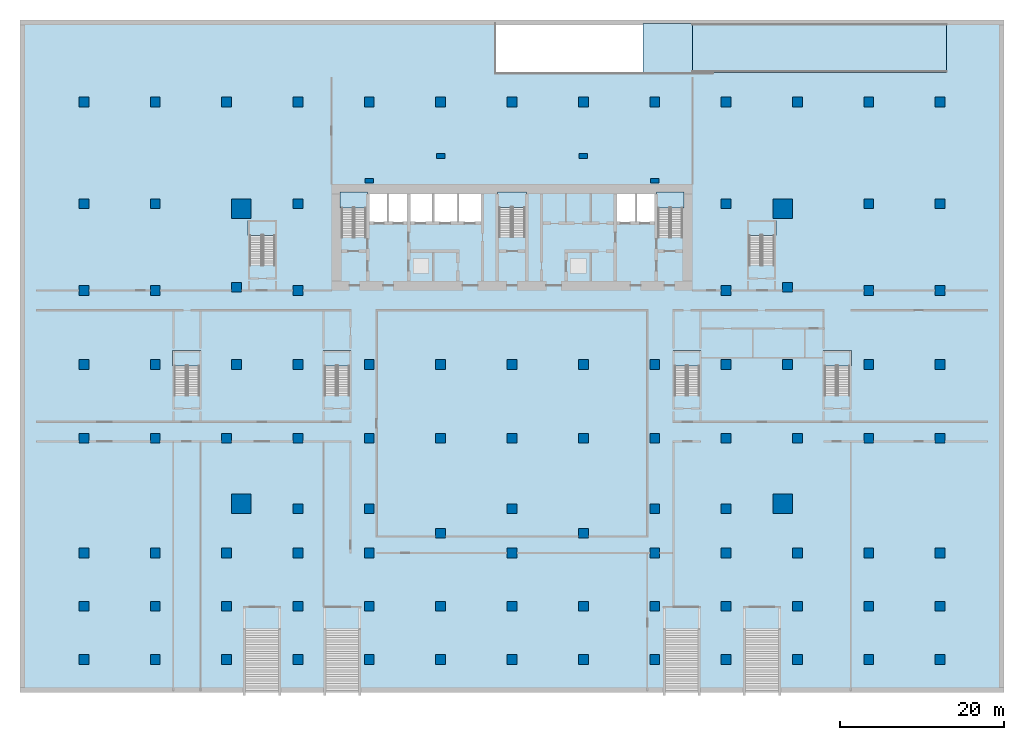
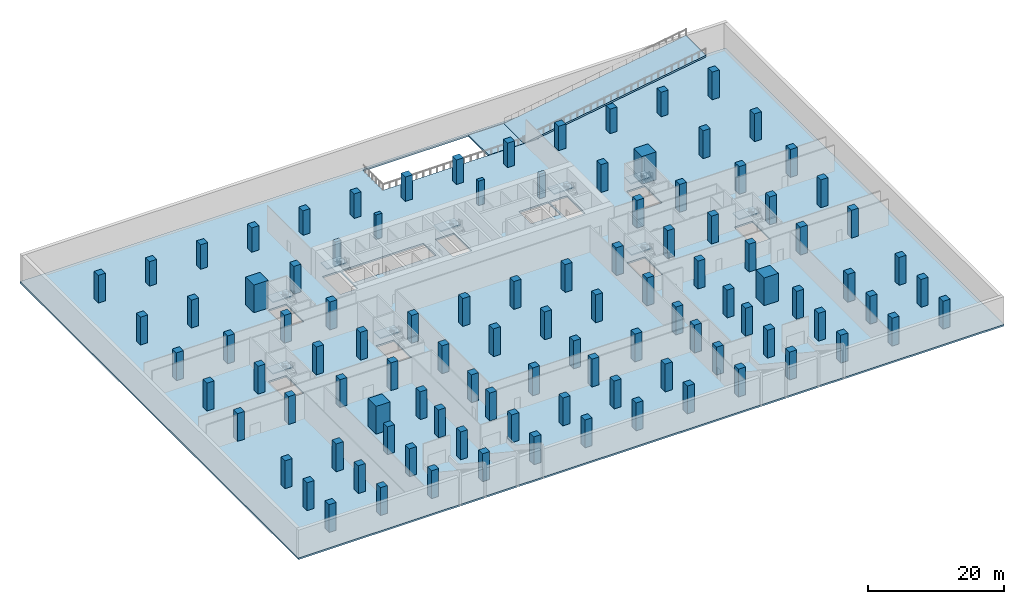
# One storey, part 1 of 16: 105 columns, 12 slabs, 9 elements without a shape of their own.
"""IFC4 building model written with IfcOpenShell, lengths in metres."""

from ifc_helpers import new_model, si_unit, direction, frame, origin, origin_2d, place, context, subcontext, project, spatial, polyline, rectangle, outline, extrude, material, layer, layer_set, material_profile, profile_set, type_object, element, aggregate, save


model = new_model("IFC4")

# Units and contexts
model_context = context("Model", 3, precision=1e-05, world=origin(), true_north=direction((0.0, 1.0)))
body_context = subcontext(model_context, "Body", "Model", "MODEL_VIEW")
ifc_project = project(units=[si_unit("LENGTHUNIT", "METRE"), si_unit("AREAUNIT", "SQUARE_METRE"), si_unit("VOLUMEUNIT", "CUBIC_METRE"), si_unit("PLANEANGLEUNIT", "RADIAN"), si_unit("MASSUNIT", "GRAM", prefix="KILO")], contexts=[model_context])

# Site, building, storey
site_placement = place(None, origin())
site = spatial("IfcSite", under=ifc_project, at=site_placement, CompositionType="ELEMENT")
building_placement = place(site_placement, origin())
building = spatial("IfcBuilding", under=site, at=building_placement, Name="Bicima Exchange Tower", CompositionType="ELEMENT")
storey_placement = place(building_placement, frame((0.0, 0.0, -5.0)))
storey = spatial("IfcBuildingStorey", under=building, at=storey_placement, Name="B1", CompositionType="ELEMENT", Elevation=-5.0)

# Columns
ifc_material_1 = material(Name="Concrete C60/75", Category="concrete")
ifc_material_profile_1 = material_profile(ifc_material_1, rectangle(XDim=1.199951171875, YDim=1.199951171875, at=origin_2d()))
ifc_profile_set_1 = profile_set([ifc_material_profile_1], Name="Concrete C60/75")
column_type_1 = type_object("IfcColumnType", Name="Reinforced concrete basement column 1200 x 1200", PredefinedType="COLUMN", material=ifc_profile_set_1)
for number, where, z_axis, x_axis, name in (
    (1, (-26.10009765625, -39.60009765625, 0.0), (0.0, 0.0, 1.0), (1.0, 0.0, 0.0), "Column"),
    (2, (-26.10009765625, -2.39990234375, 0.0), (0.0, 0.0, 1.0), (1.0, 0.0, 0.0), "Column"),
    (3, (-17.39990234375, -39.60009765625, 0.0), (0.0, 0.0, 1.0), (1.0, 0.0, 0.0), "Column"),
    (4, (-8.699951171875, -42.591064453125, 0.0), (0.0, 0.0, 1.0), (1.0, 0.0, 0.0), "Column"),
    (5, (0.0, -39.60009765625, 0.0), (0.0, 0.0, 1.0), (1.0, 0.0, 0.0), "Column"),
    (6, (8.699951171875, -42.591064453125, 0.0), (0.0, 0.0, 1.0), (1.0, 0.0, 0.0), "Column"),
    (7, (17.39990234375, -39.60009765625, 0.0), (0.0, 0.0, 1.0), (1.0, 0.0, 0.0), "Column"),
    (8, (26.10009765625, -39.60009765625, 0.0), (0.0, 0.0, 1.0), (1.0, 0.0, 0.0), "Column"),
    (9, (26.10009765625, -2.39990234375, 0.0), (0.0, 0.0, 1.0), (1.0, 0.0, 0.0), "Column"),
    (10, (-33.60009765625, -12.60009765625, 0.0), (0.0, 0.0, 1.0), (1.0, 0.0, 0.0), "Column"),
    (11, (-33.60009765625, -22.0, 0.0), (0.0, 0.0, 1.0), (1.0, 0.0, 0.0), "Column"),
    (12, (33.60009765625, -12.60009765625, 0.0), (0.0, 0.0, 1.0), (1.0, 0.0, 0.0), "Column"),
    (13, (33.60009765625, -22.0, 0.0), (0.0, 0.0, 1.0), (1.0, 0.0, 0.0), "Column"),
    (14, (-26.10009765625, -22.0, 0.0), (0.0, 0.0, 1.0), (1.0, 0.0, 0.0), "Column"),
    (15, (-17.39990234375, -22.0, 0.0), (0.0, 0.0, 1.0), (1.0, 0.0, 0.0), "Column"),
    (16, (-8.699951171875, -22.0, 0.0), (0.0, 0.0, 1.0), (1.0, 0.0, 0.0), "Column"),
    (17, (0.0, -22.0, 0.0), (0.0, 0.0, 1.0), (1.0, 0.0, 0.0), "Column"),
    (18, (8.699951171875, -22.0, 0.0), (0.0, 0.0, 1.0), (1.0, 0.0, 0.0), "Column"),
    (19, (17.39990234375, -22.0, 0.0), (0.0, 0.0, 1.0), (1.0, 0.0, 0.0), "Column"),
    (20, (26.10009765625, -22.0, 0.0), (0.0, 0.0, 1.0), (1.0, 0.0, 0.0), "Column"),
    (21, (-52.199951171875, 10.0, 0.0), (0.0, 0.0, 1.0), (1.0, 0.0, 0.0), "Column"),
    (22, (-52.199951171875, -2.39990234375, 0.0), (0.0, 0.0, 1.0), (1.0, 0.0, 0.0), "Column"),
    (23, (-52.199951171875, -13.0, 0.0), (0.0, 0.0, 1.0), (1.0, 0.0, 0.0), "Column"),
    (24, (-52.199951171875, -22.0, 0.0), (0.0, 0.0, 1.0), (1.0, 0.0, 0.0), "Column"),
    (25, (-52.199951171875, -31.0, 0.0), (0.0, 0.0, 1.0), (1.0, 0.0, 0.0), "Column"),
    (26, (-52.199951171875, -45.0, 0.0), (0.0, 0.0, 1.0), (1.0, 0.0, 0.0), "Column"),
    (27, (-52.199951171875, -51.5, 0.0), (0.0, 0.0, 1.0), (1.0, 0.0, 0.0), "Column"),
    (28, (-52.199951171875, -58.0, 0.0), (0.0, 0.0, 1.0), (1.0, 0.0, 0.0), "Column"),
):
    element("IfcColumn", number, at=place(storey_placement, frame(where, z_axis=z_axis, x_axis=x_axis)), inside=storey, type_object=column_type_1, Name=name, PredefinedType="COLUMN", context=body_context, shape_type="SweptSolid", body=[
        extrude(rectangle(XDim=1.199951171875, YDim=1.199951171875, at=origin_2d()), origin(), (0.0, 0.0, 1.0), 5.0),
    ])
column_1_placement = place(storey_placement, frame((-43.5, 10.0, 0.0), z_axis=(0.0, 0.0, 1.0), x_axis=(1.0, 0.0, 0.0)))
element("IfcColumn", 29, at=column_1_placement, inside=storey, type_object=column_type_1, Name="Column", PredefinedType="COLUMN", context=body_context, shape_type="SweptSolid", body=[
    extrude(rectangle(XDim=1.199951171875, YDim=1.199951171875, at=origin_2d()), origin(), (0.0, 0.0, 1.0), 4.39990234375),
])
for number, where, z_axis, x_axis, name in (
    (30, (-43.5, -2.39990234375, 0.0), (0.0, 0.0, 1.0), (1.0, 0.0, 0.0), "Column"),
    (31, (-43.5, -13.0, 0.0), (0.0, 0.0, 1.0), (1.0, 0.0, 0.0), "Column"),
    (32, (-43.5, -22.0, 0.0), (0.0, 0.0, 1.0), (1.0, 0.0, 0.0), "Column"),
    (33, (-43.5, -31.0, 0.0), (0.0, 0.0, 1.0), (1.0, 0.0, 0.0), "Column"),
    (34, (-43.5, -45.0, 0.0), (0.0, 0.0, 1.0), (1.0, 0.0, 0.0), "Column"),
    (35, (-43.5, -51.5, 0.0), (0.0, 0.0, 1.0), (1.0, 0.0, 0.0), "Column"),
    (36, (-43.5, -58.0, 0.0), (0.0, 0.0, 1.0), (1.0, 0.0, 0.0), "Column"),
):
    element("IfcColumn", number, at=place(storey_placement, frame(where, z_axis=z_axis, x_axis=x_axis)), inside=storey, type_object=column_type_1, Name=name, PredefinedType="COLUMN", context=body_context, shape_type="SweptSolid", body=[
        extrude(rectangle(XDim=1.199951171875, YDim=1.199951171875, at=origin_2d()), origin(), (0.0, 0.0, 1.0), 5.0),
    ])
column_2_placement = place(storey_placement, frame((-34.800048828125, 10.0, 0.0), z_axis=(0.0, 0.0, 1.0), x_axis=(1.0, 0.0, 0.0)))
element("IfcColumn", 37, at=column_2_placement, inside=storey, type_object=column_type_1, Name="Column", PredefinedType="COLUMN", context=body_context, shape_type="SweptSolid", body=[
    extrude(rectangle(XDim=1.199951171875, YDim=1.199951171875, at=origin_2d()), origin(), (0.0, 0.0, 1.0), 4.39990234375),
])
for number, where, z_axis, x_axis, name in (
    (38, (-34.800048828125, -31.0, 0.0), (0.0, 0.0, 1.0), (1.0, 0.0, 0.0), "Column"),
    (39, (-34.800048828125, -45.0, 0.0), (0.0, 0.0, 1.0), (1.0, 0.0, 0.0), "Column"),
    (40, (-34.800048828125, -51.5, 0.0), (0.0, 0.0, 1.0), (1.0, 0.0, 0.0), "Column"),
    (41, (-34.800048828125, -58.0, 0.0), (0.0, 0.0, 1.0), (1.0, 0.0, 0.0), "Column"),
):
    element("IfcColumn", number, at=place(storey_placement, frame(where, z_axis=z_axis, x_axis=x_axis)), inside=storey, type_object=column_type_1, Name=name, PredefinedType="COLUMN", context=body_context, shape_type="SweptSolid", body=[
        extrude(rectangle(XDim=1.199951171875, YDim=1.199951171875, at=origin_2d()), origin(), (0.0, 0.0, 1.0), 5.0),
    ])
column_3_placement = place(storey_placement, frame((-26.10009765625, 10.0, 0.0), z_axis=(0.0, 0.0, 1.0), x_axis=(1.0, 0.0, 0.0)))
element("IfcColumn", 42, at=column_3_placement, inside=storey, type_object=column_type_1, Name="Column", PredefinedType="COLUMN", context=body_context, shape_type="SweptSolid", body=[
    extrude(rectangle(XDim=1.199951171875, YDim=1.199951171875, at=origin_2d()), origin(), (0.0, 0.0, 1.0), 4.39990234375),
])
for number, where, z_axis, x_axis, name in (
    (43, (-26.10009765625, -13.0, 0.0), (0.0, 0.0, 1.0), (1.0, 0.0, 0.0), "Column"),
    (44, (-26.10009765625, -31.0, 0.0), (0.0, 0.0, 1.0), (1.0, 0.0, 0.0), "Column"),
    (45, (-26.10009765625, -45.0, 0.0), (0.0, 0.0, 1.0), (1.0, 0.0, 0.0), "Column"),
    (46, (-26.10009765625, -51.5, 0.0), (0.0, 0.0, 1.0), (1.0, 0.0, 0.0), "Column"),
    (47, (-26.10009765625, -58.0, 0.0), (0.0, 0.0, 1.0), (1.0, 0.0, 0.0), "Column"),
):
    element("IfcColumn", number, at=place(storey_placement, frame(where, z_axis=z_axis, x_axis=x_axis)), inside=storey, type_object=column_type_1, Name=name, PredefinedType="COLUMN", context=body_context, shape_type="SweptSolid", body=[
        extrude(rectangle(XDim=1.199951171875, YDim=1.199951171875, at=origin_2d()), origin(), (0.0, 0.0, 1.0), 5.0),
    ])
column_4_placement = place(storey_placement, frame((-17.39990234375, 10.0, 0.0), z_axis=(0.0, 0.0, 1.0), x_axis=(1.0, 0.0, 0.0)))
element("IfcColumn", 48, at=column_4_placement, inside=storey, type_object=column_type_1, Name="Column", PredefinedType="COLUMN", context=body_context, shape_type="SweptSolid", body=[
    extrude(rectangle(XDim=1.199951171875, YDim=1.199951171875, at=origin_2d()), origin(), (0.0, 0.0, 1.0), 4.39990234375),
])
for number, where, z_axis, x_axis, name in (
    (49, (-17.39990234375, -31.0, 0.0), (0.0, 0.0, 1.0), (1.0, 0.0, 0.0), "Column"),
    (50, (-17.39990234375, -45.0, 0.0), (0.0, 0.0, 1.0), (1.0, 0.0, 0.0), "Column"),
    (51, (-17.39990234375, -51.5, 0.0), (0.0, 0.0, 1.0), (1.0, 0.0, 0.0), "Column"),
    (52, (-17.39990234375, -58.0, 0.0), (0.0, 0.0, 1.0), (1.0, 0.0, 0.0), "Column"),
):
    element("IfcColumn", number, at=place(storey_placement, frame(where, z_axis=z_axis, x_axis=x_axis)), inside=storey, type_object=column_type_1, Name=name, PredefinedType="COLUMN", context=body_context, shape_type="SweptSolid", body=[
        extrude(rectangle(XDim=1.199951171875, YDim=1.199951171875, at=origin_2d()), origin(), (0.0, 0.0, 1.0), 5.0),
    ])
column_5_placement = place(storey_placement, frame((-8.699951171875, 10.0, 0.0), z_axis=(0.0, 0.0, 1.0), x_axis=(1.0, 0.0, 0.0)))
element("IfcColumn", 53, at=column_5_placement, inside=storey, type_object=column_type_1, Name="Column", PredefinedType="COLUMN", context=body_context, shape_type="SweptSolid", body=[
    extrude(rectangle(XDim=1.199951171875, YDim=1.199951171875, at=origin_2d()), origin(), (0.0, 0.0, 1.0), 4.39990234375),
])
for number, where, z_axis, x_axis, name in (
    (54, (-8.699951171875, -31.0, 0.0), (0.0, 0.0, 1.0), (1.0, 0.0, 0.0), "Column"),
    (55, (-8.699951171875, -51.5, 0.0), (0.0, 0.0, 1.0), (1.0, 0.0, 0.0), "Column"),
    (56, (-8.699951171875, -58.0, 0.0), (0.0, 0.0, 1.0), (1.0, 0.0, 0.0), "Column"),
):
    element("IfcColumn", number, at=place(storey_placement, frame(where, z_axis=z_axis, x_axis=x_axis)), inside=storey, type_object=column_type_1, Name=name, PredefinedType="COLUMN", context=body_context, shape_type="SweptSolid", body=[
        extrude(rectangle(XDim=1.199951171875, YDim=1.199951171875, at=origin_2d()), origin(), (0.0, 0.0, 1.0), 5.0),
    ])
column_6_placement = place(storey_placement, frame((0.0, 10.0, 0.0), z_axis=(0.0, 0.0, 1.0), x_axis=(1.0, 0.0, 0.0)))
element("IfcColumn", 57, at=column_6_placement, inside=storey, type_object=column_type_1, Name="Column", PredefinedType="COLUMN", context=body_context, shape_type="SweptSolid", body=[
    extrude(rectangle(XDim=1.199951171875, YDim=1.199951171875, at=origin_2d()), origin(), (0.0, 0.0, 1.0), 4.39990234375),
])
for number, where, z_axis, x_axis, name in (
    (58, (0.0, -31.0, 0.0), (0.0, 0.0, 1.0), (1.0, 0.0, 0.0), "Column"),
    (59, (0.0, -45.0, 0.0), (0.0, 0.0, 1.0), (1.0, 0.0, 0.0), "Column"),
    (60, (0.0, -51.5, 0.0), (0.0, 0.0, 1.0), (1.0, 0.0, 0.0), "Column"),
    (61, (0.0, -58.0, 0.0), (0.0, 0.0, 1.0), (1.0, 0.0, 0.0), "Column"),
):
    element("IfcColumn", number, at=place(storey_placement, frame(where, z_axis=z_axis, x_axis=x_axis)), inside=storey, type_object=column_type_1, Name=name, PredefinedType="COLUMN", context=body_context, shape_type="SweptSolid", body=[
        extrude(rectangle(XDim=1.199951171875, YDim=1.199951171875, at=origin_2d()), origin(), (0.0, 0.0, 1.0), 5.0),
    ])
column_7_placement = place(storey_placement, frame((8.699951171875, 10.0, 0.0), z_axis=(0.0, 0.0, 1.0), x_axis=(1.0, 0.0, 0.0)))
element("IfcColumn", 62, at=column_7_placement, inside=storey, type_object=column_type_1, Name="Column", PredefinedType="COLUMN", context=body_context, shape_type="SweptSolid", body=[
    extrude(rectangle(XDim=1.199951171875, YDim=1.199951171875, at=origin_2d()), origin(), (0.0, 0.0, 1.0), 4.39990234375),
])
for number, where, z_axis, x_axis, name in (
    (63, (8.699951171875, -31.0, 0.0), (0.0, 0.0, 1.0), (1.0, 0.0, 0.0), "Column"),
    (64, (8.699951171875, -51.5, 0.0), (0.0, 0.0, 1.0), (1.0, 0.0, 0.0), "Column"),
    (65, (8.699951171875, -58.0, 0.0), (0.0, 0.0, 1.0), (1.0, 0.0, 0.0), "Column"),
):
    element("IfcColumn", number, at=place(storey_placement, frame(where, z_axis=z_axis, x_axis=x_axis)), inside=storey, type_object=column_type_1, Name=name, PredefinedType="COLUMN", context=body_context, shape_type="SweptSolid", body=[
        extrude(rectangle(XDim=1.199951171875, YDim=1.199951171875, at=origin_2d()), origin(), (0.0, 0.0, 1.0), 5.0),
    ])
column_8_placement = place(storey_placement, frame((17.39990234375, 10.0, 0.0), z_axis=(0.0, 0.0, 1.0), x_axis=(1.0, 0.0, 0.0)))
element("IfcColumn", 66, at=column_8_placement, inside=storey, type_object=column_type_1, Name="Column", PredefinedType="COLUMN", context=body_context, shape_type="SweptSolid", body=[
    extrude(rectangle(XDim=1.199951171875, YDim=1.199951171875, at=origin_2d()), origin(), (0.0, 0.0, 1.0), 4.39990234375),
])
for number, where, z_axis, x_axis, name in (
    (67, (17.39990234375, -31.0, 0.0), (0.0, 0.0, 1.0), (1.0, 0.0, 0.0), "Column"),
    (68, (17.39990234375, -45.0, 0.0), (0.0, 0.0, 1.0), (1.0, 0.0, 0.0), "Column"),
    (69, (17.39990234375, -51.5, 0.0), (0.0, 0.0, 1.0), (1.0, 0.0, 0.0), "Column"),
    (70, (17.39990234375, -58.0, 0.0), (0.0, 0.0, 1.0), (1.0, 0.0, 0.0), "Column"),
):
    element("IfcColumn", number, at=place(storey_placement, frame(where, z_axis=z_axis, x_axis=x_axis)), inside=storey, type_object=column_type_1, Name=name, PredefinedType="COLUMN", context=body_context, shape_type="SweptSolid", body=[
        extrude(rectangle(XDim=1.199951171875, YDim=1.199951171875, at=origin_2d()), origin(), (0.0, 0.0, 1.0), 5.0),
    ])
column_9_placement = place(storey_placement, frame((26.10009765625, 10.0, 0.0), z_axis=(0.0, 0.0, 1.0), x_axis=(1.0, 0.0, 0.0)))
element("IfcColumn", 71, at=column_9_placement, inside=storey, type_object=column_type_1, Name="Column", PredefinedType="COLUMN", context=body_context, shape_type="SweptSolid", body=[
    extrude(rectangle(XDim=1.199951171875, YDim=1.199951171875, at=origin_2d()), origin(), (0.0, 0.0, 1.0), 4.39990234375),
])
for number, where, z_axis, x_axis, name in (
    (72, (26.10009765625, -13.0, 0.0), (0.0, 0.0, 1.0), (1.0, 0.0, 0.0), "Column"),
    (73, (26.10009765625, -31.0, 0.0), (0.0, 0.0, 1.0), (1.0, 0.0, 0.0), "Column"),
    (74, (26.10009765625, -45.0, 0.0), (0.0, 0.0, 1.0), (1.0, 0.0, 0.0), "Column"),
    (75, (26.10009765625, -51.5, 0.0), (0.0, 0.0, 1.0), (1.0, 0.0, 0.0), "Column"),
    (76, (26.10009765625, -58.0, 0.0), (0.0, 0.0, 1.0), (1.0, 0.0, 0.0), "Column"),
):
    element("IfcColumn", number, at=place(storey_placement, frame(where, z_axis=z_axis, x_axis=x_axis)), inside=storey, type_object=column_type_1, Name=name, PredefinedType="COLUMN", context=body_context, shape_type="SweptSolid", body=[
        extrude(rectangle(XDim=1.199951171875, YDim=1.199951171875, at=origin_2d()), origin(), (0.0, 0.0, 1.0), 5.0),
    ])
column_10_placement = place(storey_placement, frame((34.800048828125, 10.0, 0.0), z_axis=(0.0, 0.0, 1.0), x_axis=(1.0, 0.0, 0.0)))
element("IfcColumn", 77, at=column_10_placement, inside=storey, type_object=column_type_1, Name="Column", PredefinedType="COLUMN", context=body_context, shape_type="SweptSolid", body=[
    extrude(rectangle(XDim=1.199951171875, YDim=1.199951171875, at=origin_2d()), origin(), (0.0, 0.0, 1.0), 4.39990234375),
])
for number, where, z_axis, x_axis, name in (
    (78, (34.800048828125, -31.0, 0.0), (0.0, 0.0, 1.0), (1.0, 0.0, 0.0), "Column"),
    (79, (34.800048828125, -45.0, 0.0), (0.0, 0.0, 1.0), (1.0, 0.0, 0.0), "Column"),
    (80, (34.800048828125, -51.5, 0.0), (0.0, 0.0, 1.0), (1.0, 0.0, 0.0), "Column"),
    (81, (34.800048828125, -58.0, 0.0), (0.0, 0.0, 1.0), (1.0, 0.0, 0.0), "Column"),
):
    element("IfcColumn", number, at=place(storey_placement, frame(where, z_axis=z_axis, x_axis=x_axis)), inside=storey, type_object=column_type_1, Name=name, PredefinedType="COLUMN", context=body_context, shape_type="SweptSolid", body=[
        extrude(rectangle(XDim=1.199951171875, YDim=1.199951171875, at=origin_2d()), origin(), (0.0, 0.0, 1.0), 5.0),
    ])
column_11_placement = place(storey_placement, frame((43.5, 10.0, 0.0), z_axis=(0.0, 0.0, 1.0), x_axis=(1.0, 0.0, 0.0)))
element("IfcColumn", 82, at=column_11_placement, inside=storey, type_object=column_type_1, Name="Column", PredefinedType="COLUMN", context=body_context, shape_type="SweptSolid", body=[
    extrude(rectangle(XDim=1.199951171875, YDim=1.199951171875, at=origin_2d()), origin(), (0.0, 0.0, 1.0), 4.39990234375),
])
for number, where, z_axis, x_axis, name in (
    (83, (43.5, -2.39990234375, 0.0), (0.0, 0.0, 1.0), (1.0, 0.0, 0.0), "Column"),
    (84, (43.5, -13.0, 0.0), (0.0, 0.0, 1.0), (1.0, 0.0, 0.0), "Column"),
    (85, (43.5, -22.0, 0.0), (0.0, 0.0, 1.0), (1.0, 0.0, 0.0), "Column"),
    (86, (43.5, -31.0, 0.0), (0.0, 0.0, 1.0), (1.0, 0.0, 0.0), "Column"),
    (87, (43.5, -45.0, 0.0), (0.0, 0.0, 1.0), (1.0, 0.0, 0.0), "Column"),
    (88, (43.5, -51.5, 0.0), (0.0, 0.0, 1.0), (1.0, 0.0, 0.0), "Column"),
    (89, (43.5, -58.0, 0.0), (0.0, 0.0, 1.0), (1.0, 0.0, 0.0), "Column"),
    (90, (52.199951171875, 10.0, 0.0), (0.0, 0.0, 1.0), (1.0, 0.0, 0.0), "Column"),
    (91, (52.199951171875, -2.39990234375, 0.0), (0.0, 0.0, 1.0), (1.0, 0.0, 0.0), "Column"),
    (92, (52.199951171875, -13.0, 0.0), (0.0, 0.0, 1.0), (1.0, 0.0, 0.0), "Column"),
    (93, (52.199951171875, -22.0, 0.0), (0.0, 0.0, 1.0), (1.0, 0.0, 0.0), "Column"),
    (94, (52.199951171875, -31.0, 0.0), (0.0, 0.0, 1.0), (1.0, 0.0, 0.0), "Column"),
    (95, (52.199951171875, -45.0, 0.0), (0.0, 0.0, 1.0), (1.0, 0.0, 0.0), "Column"),
    (96, (52.199951171875, -51.5, 0.0), (0.0, 0.0, 1.0), (1.0, 0.0, 0.0), "Column"),
    (97, (52.199951171875, -58.0, 0.0), (0.0, 0.0, 1.0), (1.0, 0.0, 0.0), "Column"),
):
    element("IfcColumn", number, at=place(storey_placement, frame(where, z_axis=z_axis, x_axis=x_axis)), inside=storey, type_object=column_type_1, Name=name, PredefinedType="COLUMN", context=body_context, shape_type="SweptSolid", body=[
        extrude(rectangle(XDim=1.199951171875, YDim=1.199951171875, at=origin_2d()), origin(), (0.0, 0.0, 1.0), 5.0),
    ])
ifc_material_profile_2 = material_profile(ifc_material_1, rectangle(XDim=2.39990234375, YDim=2.39990234375, at=origin_2d()))
ifc_profile_set_2 = profile_set([ifc_material_profile_2], Name="Concrete C60/75")
column_type_2 = type_object("IfcColumnType", Name="Reinforced concrete mega column 2400 x 2400", PredefinedType="COLUMN", material=ifc_profile_set_2)
for number, where, z_axis, x_axis, name in (
    (98, (-33.0, -39.0, 0.0), (0.0, 0.0, 1.0), (1.0, 0.0, 0.0), "Mega column"),
    (99, (-33.0, -3.0, 0.0), (0.0, 0.0, 1.0), (1.0, 0.0, 0.0), "Mega column"),
    (100, (33.0, -39.0, 0.0), (0.0, 0.0, 1.0), (1.0, 0.0, 0.0), "Mega column"),
    (101, (33.0, -3.0, 0.0), (0.0, 0.0, 1.0), (1.0, 0.0, 0.0), "Mega column"),
):
    element("IfcColumn", number, at=place(storey_placement, frame(where, z_axis=z_axis, x_axis=x_axis)), inside=storey, type_object=column_type_2, Name=name, PredefinedType="COLUMN", context=body_context, shape_type="SweptSolid", body=[
        extrude(rectangle(XDim=2.39990234375, YDim=2.39990234375, at=origin_2d()), origin(), (0.0, 0.0, 1.0), 5.0),
    ])
ifc_material_profile_3 = material_profile(ifc_material_1, rectangle(XDim=1.0, YDim=0.60009765625, at=origin_2d()))
ifc_profile_set_3 = profile_set([ifc_material_profile_3], Name="Concrete C60/75")
column_type_3 = type_object("IfcColumnType", Name="Reinforced concrete rear pilaster column 1000 x 600", PredefinedType="COLUMN", material=ifc_profile_set_3)
for number, where, z_axis, x_axis, name in (
    (102, (-8.699951171875, 3.39111328125, 0.0), (0.0, 0.0, 1.0), (1.0, 0.0, 0.0), "Column"),
    (103, (-17.39990234375, 0.39990234375, 0.0), (0.0, 0.0, 1.0), (1.0, 0.0, 0.0), "Column"),
    (104, (8.699951171875, 3.39111328125, 0.0), (0.0, 0.0, 1.0), (1.0, 0.0, 0.0), "Column"),
    (105, (17.39990234375, 0.39990234375, 0.0), (0.0, 0.0, 1.0), (1.0, 0.0, 0.0), "Column"),
):
    element("IfcColumn", number, at=place(storey_placement, frame(where, z_axis=z_axis, x_axis=x_axis)), inside=storey, type_object=column_type_3, Name=name, PredefinedType="COLUMN", context=body_context, shape_type="SweptSolid", body=[
        extrude(rectangle(XDim=1.0, YDim=0.60009765625, at=origin_2d()), origin(), (0.0, 0.0, 1.0), 4.39990234375),
    ])

# Slabs
ifc_material_2 = material(Name="Concrete C40/50", Category="concrete")
ifc_layer_1 = layer(ifc_material_2, 0.300048828125)
ifc_layer_set_1 = layer_set([ifc_layer_1], Name="Concrete C40/50")
slab_type_1 = type_object("IfcSlabType", Name="Ramp pad slab 300 C40/50", PredefinedType="LANDING", material=ifc_layer_set_1)
slab_1_placement = place(storey_placement, frame((0.0, 0.0, -0.300048828125)))
element("IfcSlab", 106, at=slab_1_placement, inside=storey, type_object=slab_type_1, Name="Ramp pad 3", PredefinedType="LANDING", context=body_context, shape_type="SweptSolid", body=[
    extrude(outline(polyline([(16.0, 13.60009765625), (22.0, 13.60009765625), (22.0, 19.550048828125), (16.0, 19.550048828125), (16.0, 13.60009765625)])), origin(), (0.0, 0.0, 1.0), 0.300048828125),
])
ifc_layer_2 = layer(ifc_material_2, 0.300048828125)
ifc_layer_set_2 = layer_set([ifc_layer_2], Name="Concrete C40/50")
slab_type_2 = type_object("IfcSlabType", Name="Reinforced concrete flat plate 300", PredefinedType="FLOOR", material=ifc_layer_set_2)
slab_2_placement = place(storey_placement, frame((0.0, 0.0, -0.300048828125)))
element("IfcSlab", 107, at=slab_2_placement, inside=storey, type_object=slab_type_2, Name="Floor slab", PredefinedType="FLOOR", context=body_context, shape_type="SweptSolid", body=[
    extrude(outline(polyline([(-60.0, 20.0), (60.0, 20.0), (60.0, -62.0), (-60.0, -62.0), (-60.0, 20.0)]), holes=[polyline([(-41.175048828125, -25.72509765625), (-38.125, -25.72509765625), (-38.125, -20.52490234375), (-41.175048828125, -20.52490234375), (-41.175048828125, -25.72509765625)]), polyline([(-22.875, -25.72509765625), (-19.824951171875, -25.72509765625), (-19.824951171875, -20.52490234375), (-22.875, -20.52490234375), (-22.875, -25.72509765625)]), polyline([(-31.97509765625, -9.824951171875), (-28.925048828125, -9.824951171875), (-28.925048828125, -4.625), (-31.97509765625, -4.625), (-31.97509765625, -9.824951171875)]), polyline([(-20.800048828125, -6.449951171875), (-17.800048828125, -6.449951171875), (-17.800048828125, -1.199951171875), (-20.800048828125, -1.199951171875), (-20.800048828125, -6.449951171875)]), polyline([(-9.60009765625, -1.199951171875), (-12.60009765625, -1.199951171875), (-15.10009765625, -1.199951171875), (-17.60009765625, -1.199951171875), (-17.60009765625, -4.800048828125), (-15.10009765625, -4.800048828125), (-12.60009765625, -4.800048828125), (-9.60009765625, -4.800048828125), (-6.60009765625, -4.800048828125), (-3.60009765625, -4.800048828125), (-3.60009765625, -1.199951171875), (-6.60009765625, -1.199951171875), (-9.60009765625, -1.199951171875)]), polyline([(19.824951171875, -25.72509765625), (22.875, -25.72509765625), (22.875, -20.52490234375), (19.824951171875, -20.52490234375), (19.824951171875, -25.72509765625)]), polyline([(38.125, -25.72509765625), (41.175048828125, -25.72509765625), (41.175048828125, -20.52490234375), (38.125, -20.52490234375), (38.125, -25.72509765625)]), polyline([(28.925048828125, -9.824951171875), (31.97509765625, -9.824951171875), (31.97509765625, -4.625), (28.925048828125, -4.625), (28.925048828125, -9.824951171875)]), polyline([(17.800048828125, -6.449951171875), (20.800048828125, -6.449951171875), (20.800048828125, -1.199951171875), (17.800048828125, -1.199951171875), (17.800048828125, -6.449951171875)]), polyline([(-1.574951171875, -6.39990234375), (1.574951171875, -6.39990234375), (1.574951171875, -1.199951171875), (-1.574951171875, -1.199951171875), (-1.574951171875, -6.39990234375)]), polyline([(12.60009765625, -1.199951171875), (12.60009765625, -4.800048828125), (15.10009765625, -4.800048828125), (17.60009765625, -4.800048828125), (17.60009765625, -1.199951171875), (15.10009765625, -1.199951171875), (12.60009765625, -1.199951171875)]), polyline([(24.5, 13.550048828125), (24.5, 19.60009765625), (-1.97998046875, 19.60009765625), (-1.97998046875, 13.550048828125), (24.5, 13.550048828125)])]), origin(), (0.0, 0.0, 1.0), 0.300048828125),
])

# Stair, slab
ifc_material_3 = material(Name="Concrete C50/60", Category="concrete")
stair_type_1 = type_object("IfcStairType", Name="Exit stair", PredefinedType="HALF_TURN_STAIR", material=ifc_material_3)
stair_1_placement = place(storey_placement, origin())
stair_1 = element("IfcStair", 108, at=stair_1_placement, inside=storey, type_object=stair_type_1, Name="B1 West exit stair", PredefinedType="HALF_TURN_STAIR")
ifc_layer_3 = layer(ifc_material_3, 0.199951171875)
ifc_layer_set_3 = layer_set([ifc_layer_3], Name="Concrete C50/60")
slab_type_3 = type_object("IfcSlabType", Name="Stair landing slab", PredefinedType="LANDING", material=ifc_layer_set_3)
slab_3_placement = place(storey_placement, frame((0.0, 0.0, 2.300048828125)))
slab_3 = element("IfcSlab", 109, at=slab_3_placement, type_object=slab_type_3, Name="ST-W landing 1", PredefinedType="LANDING", context=body_context, shape_type="SweptSolid", body=[
    extrude(outline(polyline([(-17.60009765625, -2.909912109375), (-17.60009765625, -1.0), (-21.0, -1.0), (-21.0, -2.909912109375), (-17.60009765625, -2.909912109375)])), origin(), (0.0, 0.0, 1.0), 0.199951171875),
])
aggregate(stair_1, [slab_3])

stair_type_2 = type_object("IfcStairType", Name="Exit stair 1500", PredefinedType="HALF_TURN_STAIR", material=ifc_material_3)
stair_2_placement = place(storey_placement, origin())
stair_2 = element("IfcStair", 110, at=stair_2_placement, inside=storey, type_object=stair_type_2, Name="B1 Central exit stair", PredefinedType="HALF_TURN_STAIR")
slab_4_placement = place(storey_placement, frame((0.0, 0.0, 2.300048828125)))
slab_4 = element("IfcSlab", 111, at=slab_4_placement, type_object=slab_type_3, Name="ST-C landing 1", PredefinedType="LANDING", context=body_context, shape_type="SweptSolid", body=[
    extrude(outline(polyline([(1.77490234375, -2.860107421875), (1.77490234375, -1.0), (-1.77490234375, -1.0), (-1.77490234375, -2.860107421875), (1.77490234375, -2.860107421875)])), origin(), (0.0, 0.0, 1.0), 0.199951171875),
])
aggregate(stair_2, [slab_4])

stair_3_placement = place(storey_placement, origin())
stair_3 = element("IfcStair", 112, at=stair_3_placement, inside=storey, type_object=stair_type_1, Name="B1 East exit stair", PredefinedType="HALF_TURN_STAIR")
slab_5_placement = place(storey_placement, frame((0.0, 0.0, 2.300048828125)))
slab_5 = element("IfcSlab", 113, at=slab_5_placement, type_object=slab_type_3, Name="ST-E landing 1", PredefinedType="LANDING", context=body_context, shape_type="SweptSolid", body=[
    extrude(outline(polyline([(21.0, -2.909912109375), (21.0, -1.0), (17.60009765625, -1.0), (17.60009765625, -2.909912109375), (21.0, -2.909912109375)])), origin(), (0.0, 0.0, 1.0), 0.199951171875),
])
aggregate(stair_3, [slab_5])

stair_4_placement = place(storey_placement, origin())
stair_4 = element("IfcStair", 114, at=stair_4_placement, inside=storey, type_object=stair_type_1, Name="B1 West end exit stair", PredefinedType="HALF_TURN_STAIR")
slab_6_placement = place(storey_placement, frame((0.0, 0.0, 2.300048828125)))
slab_6 = element("IfcSlab", 115, at=slab_6_placement, type_object=slab_type_3, Name="ST-WW landing 1", PredefinedType="LANDING", context=body_context, shape_type="SweptSolid", body=[
    extrude(outline(polyline([(-28.72509765625, -6.284912109375), (-28.72509765625, -4.425048828125), (-32.175048828125, -4.425048828125), (-32.175048828125, -6.284912109375), (-28.72509765625, -6.284912109375)])), origin(), (0.0, 0.0, 1.0), 0.199951171875),
])
aggregate(stair_4, [slab_6])

stair_5_placement = place(storey_placement, origin())
stair_5 = element("IfcStair", 116, at=stair_5_placement, inside=storey, type_object=stair_type_1, Name="B1 East end exit stair", PredefinedType="HALF_TURN_STAIR")
slab_7_placement = place(storey_placement, frame((0.0, 0.0, 2.300048828125)))
slab_7 = element("IfcSlab", 117, at=slab_7_placement, type_object=slab_type_3, Name="ST-EE landing 1", PredefinedType="LANDING", context=body_context, shape_type="SweptSolid", body=[
    extrude(outline(polyline([(32.175048828125, -6.284912109375), (32.175048828125, -4.425048828125), (28.72509765625, -4.425048828125), (28.72509765625, -6.284912109375), (32.175048828125, -6.284912109375)])), origin(), (0.0, 0.0, 1.0), 0.199951171875),
])
aggregate(stair_5, [slab_7])

stair_6_placement = place(storey_placement, origin())
stair_6 = element("IfcStair", 118, at=stair_6_placement, inside=storey, type_object=stair_type_1, Name="B1 Podium west stair", PredefinedType="HALF_TURN_STAIR")
slab_8_placement = place(storey_placement, frame((0.0, 0.0, 2.300048828125)))
slab_8 = element("IfcSlab", 119, at=slab_8_placement, type_object=slab_type_3, Name="PS-W landing 1", PredefinedType="LANDING", context=body_context, shape_type="SweptSolid", body=[
    extrude(outline(polyline([(-37.925048828125, -22.18505859375), (-37.925048828125, -20.324951171875), (-41.375, -20.324951171875), (-41.375, -22.18505859375), (-37.925048828125, -22.18505859375)])), origin(), (0.0, 0.0, 1.0), 0.199951171875),
])
aggregate(stair_6, [slab_8])

stair_7_placement = place(storey_placement, origin())
stair_7 = element("IfcStair", 120, at=stair_7_placement, inside=storey, type_object=stair_type_1, Name="B1 Podium inner west stair", PredefinedType="HALF_TURN_STAIR")
slab_9_placement = place(storey_placement, frame((0.0, 0.0, 2.300048828125)))
slab_9 = element("IfcSlab", 121, at=slab_9_placement, type_object=slab_type_3, Name="PS-WI landing 1", PredefinedType="LANDING", context=body_context, shape_type="SweptSolid", body=[
    extrude(outline(polyline([(-19.625, -22.18505859375), (-19.625, -20.324951171875), (-23.074951171875, -20.324951171875), (-23.074951171875, -22.18505859375), (-19.625, -22.18505859375)])), origin(), (0.0, 0.0, 1.0), 0.199951171875),
])
aggregate(stair_7, [slab_9])

stair_8_placement = place(storey_placement, origin())
stair_8 = element("IfcStair", 122, at=stair_8_placement, inside=storey, type_object=stair_type_1, Name="B1 Podium inner east stair", PredefinedType="HALF_TURN_STAIR")
slab_10_placement = place(storey_placement, frame((0.0, 0.0, 2.300048828125)))
slab_10 = element("IfcSlab", 123, at=slab_10_placement, type_object=slab_type_3, Name="PS-EI landing 1", PredefinedType="LANDING", context=body_context, shape_type="SweptSolid", body=[
    extrude(outline(polyline([(23.074951171875, -22.18505859375), (23.074951171875, -20.324951171875), (19.625, -20.324951171875), (19.625, -22.18505859375), (23.074951171875, -22.18505859375)])), origin(), (0.0, 0.0, 1.0), 0.199951171875),
])
aggregate(stair_8, [slab_10])

stair_9_placement = place(storey_placement, origin())
stair_9 = element("IfcStair", 124, at=stair_9_placement, inside=storey, type_object=stair_type_1, Name="B1 Podium east stair", PredefinedType="HALF_TURN_STAIR")
slab_11_placement = place(storey_placement, frame((0.0, 0.0, 2.300048828125)))
slab_11 = element("IfcSlab", 125, at=slab_11_placement, type_object=slab_type_3, Name="PS-E landing 1", PredefinedType="LANDING", context=body_context, shape_type="SweptSolid", body=[
    extrude(outline(polyline([(41.375, -22.18505859375), (41.375, -20.324951171875), (37.925048828125, -20.324951171875), (37.925048828125, -22.18505859375), (41.375, -22.18505859375)])), origin(), (0.0, 0.0, 1.0), 0.199951171875),
])
aggregate(stair_9, [slab_11])

# Slab
ifc_layer_4 = layer(ifc_material_2, 0.300048828125)
ifc_layer_set_4 = layer_set([ifc_layer_4], Name="Concrete C40/50")
slab_type_4 = type_object("IfcSlabType", Name="Vehicle ramp slab 300 C40/50", PredefinedType="FLOOR", material=ifc_layer_set_4)
slab_12_placement = place(storey_placement, frame((22.0, 16.5751953125, 0.0), z_axis=(0.0, 0.0, 1.0), x_axis=(1.0, 0.0, 0.0)))
element("IfcSlab", 126, at=slab_12_placement, inside=storey, type_object=slab_type_4, Name="Vehicle ramp slab 3", PredefinedType="FLOOR", context=body_context, shape_type="SweptSolid", body=[
    extrude(outline(polyline([(0.0, 0.0), (31.0, 5.0), (31.0, 4.696044921875), (1.884033203125, 0.0), (0.0, 0.0)])), frame((0.0, 2.97509765625, 0.0), z_axis=(0.0, -1.0, 0.0), x_axis=(1.0, 0.0, 0.0)), (0.0, 0.0, 1.0), 5.949951171875),
])

save(model, "model.ifc")
